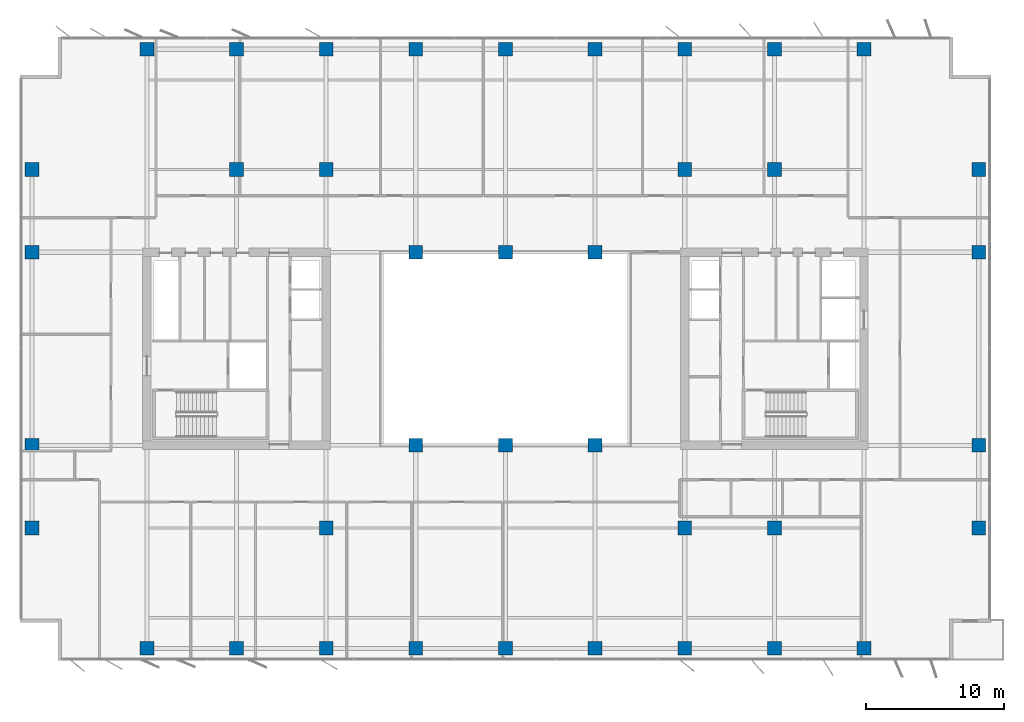
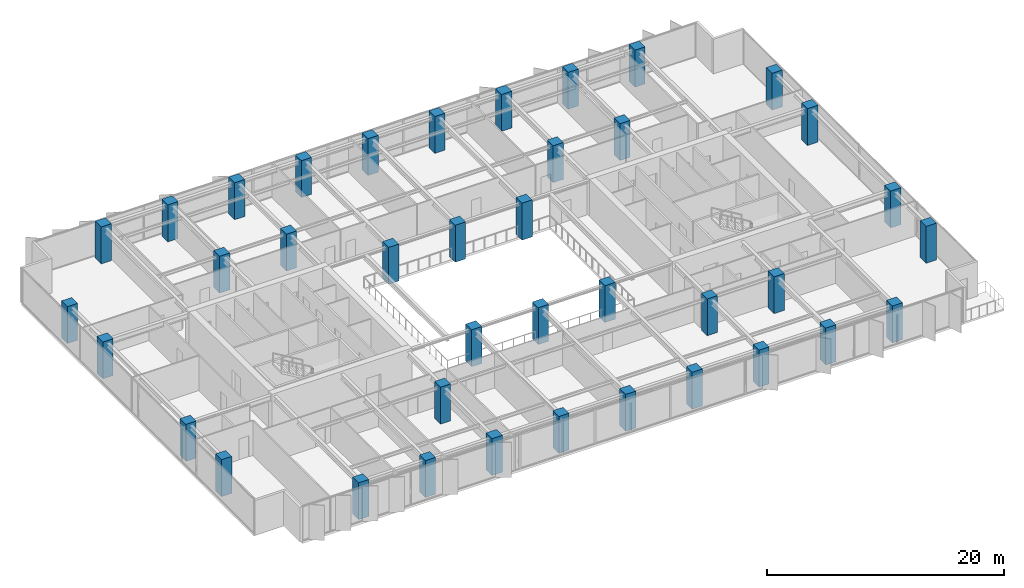
# One storey, part 1 of 22: 39 columns.
"""IFC4 building model written with IfcOpenShell, lengths in metres."""

from ifc_helpers import new_model, si_unit, direction, frame, origin, origin_2d, place, context, subcontext, project, spatial, rectangle, extrude, material, material_profile, profile_set, type_object, element, save


model = new_model("IFC4")

# Units and contexts
model_context = context("Model", 3, precision=1e-05, world=origin(), true_north=direction((0.0, 1.0)))
body_context = subcontext(model_context, "Body", "Model", "MODEL_VIEW")
ifc_project = project(units=[si_unit("LENGTHUNIT", "METRE"), si_unit("AREAUNIT", "SQUARE_METRE"), si_unit("VOLUMEUNIT", "CUBIC_METRE"), si_unit("PLANEANGLEUNIT", "RADIAN"), si_unit("MASSUNIT", "GRAM", prefix="KILO")], contexts=[model_context])

# Site, building, storey
site_placement = place(None, origin())
site = spatial("IfcSite", under=ifc_project, at=site_placement, CompositionType="ELEMENT")
building_placement = place(site_placement, origin())
building = spatial("IfcBuilding", under=site, at=building_placement, Name="Putna Gate Headquarters", CompositionType="ELEMENT")
storey_placement = place(building_placement, frame((0.0, 0.0, 178.39990234375)))
storey = spatial("IfcBuildingStorey", under=building, at=storey_placement, Name="L44", CompositionType="ELEMENT", Elevation=178.39990234375)

# Columns
ifc_material = material(Name="Concrete C50/60", Category="concrete")
ifc_material_profile_1 = material_profile(ifc_material, rectangle(XDim=1.0, YDim=1.0, at=origin_2d()), Name="Concrete C50/60")
ifc_profile_set_1 = profile_set([ifc_material_profile_1], Name="Concrete C50/60")
column_type_1 = type_object("IfcColumnType", Name="COL-RC1000-EXT", PredefinedType="COLUMN", material=ifc_profile_set_1)
for number, where, z_axis, x_axis, name in (
    (1, (13.0, 4.280029296875, 0.0), (0.0, 0.0, 1.0), (1.0, 0.0, 0.0), "L44 Column CP-S13"),
    (2, (13.0, 47.719970703125, 0.0), (0.0, 0.0, 1.0), (1.0, 0.0, 0.0), "L44 Column CP-N13"),
    (3, (19.5, 4.280029296875, 0.0), (0.0, 0.0, 1.0), (1.0, 0.0, 0.0), "L44 Column CP-S19"),
    (4, (19.5, 47.719970703125, 0.0), (0.0, 0.0, 1.0), (1.0, 0.0, 0.0), "L44 Column CP-N19"),
    (5, (26.0, 4.280029296875, 0.0), (0.0, 0.0, 1.0), (1.0, 0.0, 0.0), "L44 Column CP-S26"),
    (6, (26.0, 47.719970703125, 0.0), (0.0, 0.0, 1.0), (1.0, 0.0, 0.0), "L44 Column CP-N26"),
    (7, (32.5, 4.280029296875, 0.0), (0.0, 0.0, 1.0), (1.0, 0.0, 0.0), "L44 Column CP-S32"),
    (8, (32.5, 47.719970703125, 0.0), (0.0, 0.0, 1.0), (1.0, 0.0, 0.0), "L44 Column CP-N32"),
    (9, (39.0, 4.280029296875, 0.0), (0.0, 0.0, 1.0), (1.0, 0.0, 0.0), "L44 Column CP-S39"),
    (10, (39.0, 47.719970703125, 0.0), (0.0, 0.0, 1.0), (1.0, 0.0, 0.0), "L44 Column CP-N39"),
    (11, (45.5, 4.280029296875, 0.0), (0.0, 0.0, 1.0), (1.0, 0.0, 0.0), "L44 Column CP-S45"),
    (12, (45.5, 47.719970703125, 0.0), (0.0, 0.0, 1.0), (1.0, 0.0, 0.0), "L44 Column CP-N45"),
    (13, (52.0, 4.280029296875, 0.0), (0.0, 0.0, 1.0), (1.0, 0.0, 0.0), "L44 Column CP-S52"),
    (14, (52.0, 47.719970703125, 0.0), (0.0, 0.0, 1.0), (1.0, 0.0, 0.0), "L44 Column CP-N52"),
    (15, (58.5, 4.280029296875, 0.0), (0.0, 0.0, 1.0), (1.0, 0.0, 0.0), "L44 Column CP-S58"),
    (16, (58.5, 47.719970703125, 0.0), (0.0, 0.0, 1.0), (1.0, 0.0, 0.0), "L44 Column CP-N58"),
    (17, (65.0, 4.280029296875, 0.0), (0.0, 0.0, 1.0), (1.0, 0.0, 0.0), "L44 Column CP-S65"),
    (18, (65.0, 47.719970703125, 0.0), (0.0, 0.0, 1.0), (1.0, 0.0, 0.0), "L44 Column CP-N65"),
    (19, (4.679931640625, 13.0, 0.0), (0.0, 0.0, 1.0), (1.0, 0.0, 0.0), "L44 Column CP-W13"),
    (20, (73.320068359375, 13.0, 0.0), (0.0, 0.0, 1.0), (1.0, 0.0, 0.0), "L44 Column CP-E13"),
    (21, (4.679931640625, 19.0, 0.0), (0.0, 0.0, 1.0), (1.0, 0.0, 0.0), "L44 Column CP-W19"),
    (22, (73.320068359375, 19.0, 0.0), (0.0, 0.0, 1.0), (1.0, 0.0, 0.0), "L44 Column CP-E19"),
    (23, (4.679931640625, 33.0, 0.0), (0.0, 0.0, 1.0), (1.0, 0.0, 0.0), "L44 Column CP-W33"),
    (24, (73.320068359375, 33.0, 0.0), (0.0, 0.0, 1.0), (1.0, 0.0, 0.0), "L44 Column CP-E33"),
    (25, (4.679931640625, 39.0, 0.0), (0.0, 0.0, 1.0), (1.0, 0.0, 0.0), "L44 Column CP-W39"),
    (26, (73.320068359375, 39.0, 0.0), (0.0, 0.0, 1.0), (1.0, 0.0, 0.0), "L44 Column CP-E39"),
):
    element("IfcColumn", number, at=place(storey_placement, frame(where, z_axis=z_axis, x_axis=x_axis)), inside=storey, type_object=column_type_1, Name=name, PredefinedType="COLUMN", context=body_context, shape_type="SweptSolid", body=[
        extrude(rectangle(XDim=1.0, YDim=1.0, at=origin_2d()), origin(), (0.0, 0.0, 1.0), 3.800048828125),
    ])
ifc_material_profile_2 = material_profile(ifc_material, rectangle(XDim=1.0, YDim=1.0, at=origin_2d()), Name="Concrete C50/60")
ifc_profile_set_2 = profile_set([ifc_material_profile_2], Name="Concrete C50/60")
column_type_2 = type_object("IfcColumnType", Name="COL-RC1000-INT", PredefinedType="COLUMN", material=ifc_profile_set_2)
for number, where, z_axis, x_axis, name in (
    (27, (19.5, 39.0, 0.0), (0.0, 0.0, 1.0), (1.0, 0.0, 0.0), "L44 Column CSI-WN"),
    (28, (58.5, 13.0, 0.0), (0.0, 0.0, 1.0), (1.0, 0.0, 0.0), "L44 Column CSI-ES"),
    (29, (58.5, 39.0, 0.0), (0.0, 0.0, 1.0), (1.0, 0.0, 0.0), "L44 Column CSI-EN"),
    (30, (32.5, 19.0, 0.0), (0.0, 0.0, 1.0), (1.0, 0.0, 0.0), "L44 Column CAI-S32"),
    (31, (32.5, 33.0, 0.0), (0.0, 0.0, 1.0), (1.0, 0.0, 0.0), "L44 Column CAI-N32"),
    (32, (39.0, 19.0, 0.0), (0.0, 0.0, 1.0), (1.0, 0.0, 0.0), "L44 Column CAI-S39"),
    (33, (39.0, 33.0, 0.0), (0.0, 0.0, 1.0), (1.0, 0.0, 0.0), "L44 Column CAI-N39"),
    (34, (45.5, 19.0, 0.0), (0.0, 0.0, 1.0), (1.0, 0.0, 0.0), "L44 Column CAI-S45"),
    (35, (45.5, 33.0, 0.0), (0.0, 0.0, 1.0), (1.0, 0.0, 0.0), "L44 Column CAI-N45"),
    (36, (26.0, 13.0, 0.0), (0.0, 0.0, 1.0), (1.0, 0.0, 0.0), "L44 Column CAP-WS"),
    (37, (26.0, 39.0, 0.0), (0.0, 0.0, 1.0), (1.0, 0.0, 0.0), "L44 Column CAP-WN"),
    (38, (52.0, 13.0, 0.0), (0.0, 0.0, 1.0), (1.0, 0.0, 0.0), "L44 Column CAP-ES"),
    (39, (52.0, 39.0, 0.0), (0.0, 0.0, 1.0), (1.0, 0.0, 0.0), "L44 Column CAP-EN"),
):
    element("IfcColumn", number, at=place(storey_placement, frame(where, z_axis=z_axis, x_axis=x_axis)), inside=storey, type_object=column_type_2, Name=name, PredefinedType="COLUMN", context=body_context, shape_type="SweptSolid", body=[
        extrude(rectangle(XDim=1.0, YDim=1.0, at=origin_2d()), origin(), (0.0, 0.0, 1.0), 3.800048828125),
    ])

save(model, "model.ifc")
